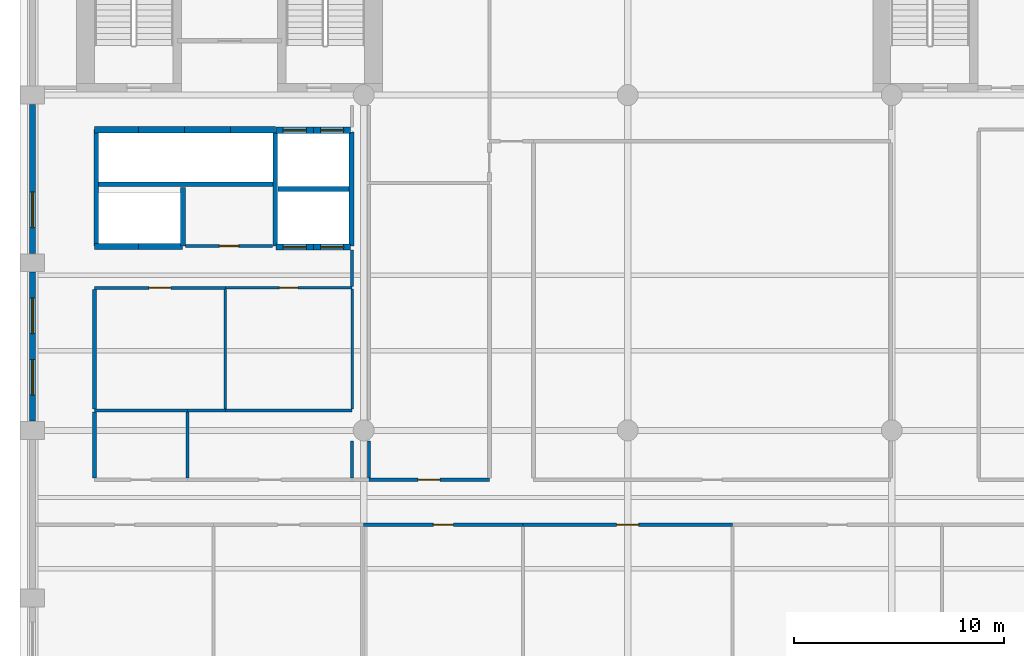
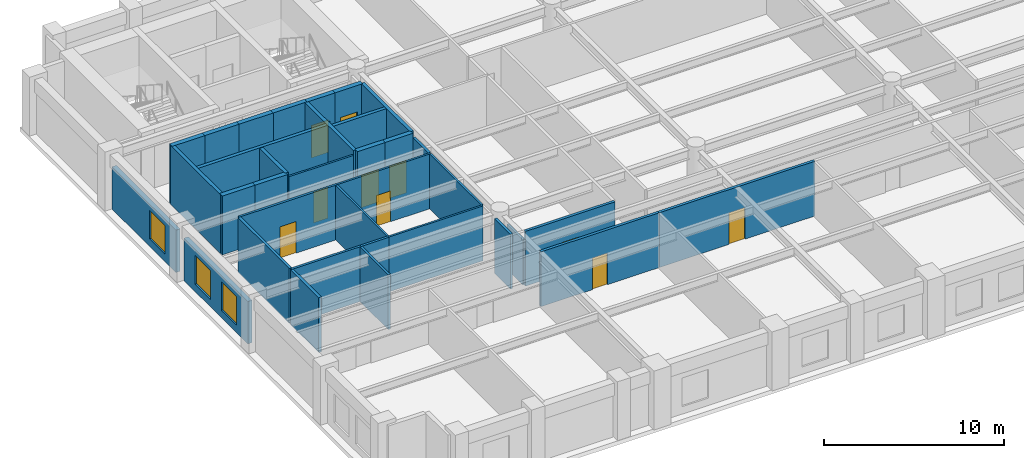
# One storey, part 3 of 8: 35 walls, 10 doors, 3 windows, 13 openings.
"""IFC4 building model written with IfcOpenShell, lengths in metres."""

from ifc_helpers import new_model, si_unit, direction, frame, frame_2d, origin, place, context, subcontext, project, spatial, rectangle, extrude, material, layer, layer_set, type_object, element, fill, save


model = new_model("IFC4")

# Units and contexts
model_context = context("Model", 3, precision=1e-05, world=origin(), true_north=direction((0.0, 1.0)))
body_context = subcontext(model_context, "Body", "Model", "MODEL_VIEW")
ifc_project = project(units=[si_unit("LENGTHUNIT", "METRE"), si_unit("AREAUNIT", "SQUARE_METRE"), si_unit("VOLUMEUNIT", "CUBIC_METRE"), si_unit("PLANEANGLEUNIT", "RADIAN"), si_unit("MASSUNIT", "GRAM", prefix="KILO")], contexts=[model_context])

# Site, building, storey
site_placement = place(None, origin())
site = spatial("IfcSite", under=ifc_project, at=site_placement, CompositionType="ELEMENT")
building_placement = place(site_placement, origin())
building = spatial("IfcBuilding", under=site, at=building_placement, Name="Sulina Concourse Tower", CompositionType="ELEMENT")
storey_placement = place(building_placement, frame((0.0, 0.0, 136.60009765625)))
storey = spatial("IfcBuildingStorey", under=building, at=storey_placement, Name="L33", CompositionType="ELEMENT", Elevation=136.60009765625)

# Walls
ifc_material_1 = material(Name="Concrete C50/60", Category="concrete")
ifc_layer_1 = layer(ifc_material_1, 0.219970703125)
ifc_layer_set_1 = layer_set([ifc_layer_1], Name="Concrete C50/60")
wall_type_1 = type_object("IfcWallType", Name="Core Lift Hoistway Divider Wall 220mm", PredefinedType="SOLIDWALL", material=ifc_layer_set_1)
wall_1_placement = place(storey_placement, frame((3.550048828125, 29.75, 0.0), z_axis=(0.0, 0.0, 1.0), x_axis=(1.0, 0.0, 0.0)))
element("IfcWall", 1, at=wall_1_placement, inside=storey, type_object=wall_type_1, Name="L33 shaft divider wall HW-LP3-S", PredefinedType="SOLIDWALL", context=body_context, shape_type="SweptSolid", body=[
    extrude(rectangle(XDim=8.64990234375, YDim=0.219970703125, at=frame_2d((4.324951171875, 0.0))), origin(), (0.0, 0.0, 1.0), 4.0),
])
wall_2_placement = place(storey_placement, frame((3.6298828125, 26.800048828125, 0.0), z_axis=(0.0, 0.0, 1.0), x_axis=(0.0, 1.0, 0.0)))
element("IfcWall", 2, at=wall_2_placement, inside=storey, type_object=wall_type_1, Name="L33 shaft divider wall HW-LP3-W", PredefinedType="SOLIDWALL", context=body_context, shape_type="SweptSolid", body=[
    extrude(rectangle(XDim=5.550048828125, YDim=0.219970703125, at=frame_2d((2.77490234375, 0.0))), origin(), (0.0, 0.0, 1.0), 4.0),
])
wall_3_placement = place(storey_placement, frame((7.780029296875, 26.800048828125, 0.0), z_axis=(0.0, 0.0, 1.0), x_axis=(0.0, 1.0, 0.0)))
element("IfcWall", 3, at=wall_3_placement, inside=storey, type_object=wall_type_1, Name="L33 shaft divider wall HW-EXP-E", PredefinedType="SOLIDWALL", context=body_context, shape_type="SweptSolid", body=[
    extrude(rectangle(XDim=2.800048828125, YDim=0.219970703125, at=frame_2d((1.39990234375, 0.0))), origin(), (0.0, 0.0, 1.0), 4.0),
])
for number, where, z_axis, x_axis, name in (
    (4, (12.179931640625, 26.800048828125, 0.0), (0.0, 0.0, 1.0), (0.0, 1.0, 0.0), "L33 shaft divider wall HW-LP2-W"),
    (5, (15.820068359375, 26.800048828125, 0.0), (0.0, 0.0, 1.0), (0.0, 1.0, 0.0), "L33 shaft divider wall HW-LP2-E"),
):
    element("IfcWall", number, at=place(storey_placement, frame(where, z_axis=z_axis, x_axis=x_axis)), inside=storey, type_object=wall_type_1, Name=name, PredefinedType="SOLIDWALL", context=body_context, shape_type="SweptSolid", body=[
        extrude(rectangle(XDim=5.449951171875, YDim=0.219970703125, at=frame_2d((2.72509765625, 0.0))), origin(), (0.0, 0.0, 1.0), 4.0),
    ])
wall_4_placement = place(storey_placement, frame((12.300048828125, 29.52001953125, 0.0), z_axis=(0.0, 0.0, 1.0), x_axis=(1.0, 0.0, 0.0)))
element("IfcWall", 6, at=wall_4_placement, inside=storey, type_object=wall_type_1, Name="L33 shaft divider wall HW-LP2-M", PredefinedType="SOLIDWALL", context=body_context, shape_type="SweptSolid", body=[
    extrude(rectangle(XDim=3.39990234375, YDim=0.219970703125, at=frame_2d((1.699951171875, 0.0))), origin(), (0.0, 0.0, 1.0), 4.0),
])

# Wall, opening, door
ifc_material_2 = material(Name="Concrete C50/60", Category="concrete")
ifc_layer_2 = layer(ifc_material_2, 0.300048828125)
ifc_layer_set_2 = layer_set([ifc_layer_2], Name="Concrete C50/60")
wall_type_2 = type_object("IfcWallType", Name="Core Lift Hoistway Wall 300mm", PredefinedType="SOLIDWALL", material=ifc_layer_set_2)
wall_5_placement = place(storey_placement, frame((14.0, 26.75, 0.0), z_axis=(0.0, 0.0, 1.0), x_axis=(-1.0, 0.0, 0.0)))
wall_5 = element("IfcWall", 7, at=wall_5_placement, inside=storey, type_object=wall_type_2, Name="L33 hoistway enclosure wall LP-05", PredefinedType="SOLIDWALL", context=body_context, shape_type="SweptSolid", body=[
    extrude(rectangle(XDim=1.780029296875, YDim=0.300048828125, at=frame_2d((0.89013671875, 0.0))), origin(), (0.0, 0.0, 1.0), 4.0),
])
opening_1_placement = place(wall_5_placement, frame((0.340087890625, 0.0, 0.0)))
opening_1 = element("IfcOpeningElement", 8, at=opening_1_placement, cuts=wall_5, Name="Opening LD-01", PredefinedType="OPENING", context=body_context, shape_type="SweptSolid", body=[
    extrude(rectangle(XDim=1.10009765625, YDim=2.199951171875, at=frame_2d((0.550048828125, 1.10009765625))), frame((0.0, 0.159912109375, 0.0), z_axis=(0.0, -1.0, 0.0), x_axis=(1.0, 0.0, 0.0)), (0.0, 0.0, 1.0), 0.320068359375),
])
ifc_material_3 = material(Name="Stainless steel lift landing door", Category="steel")
ifc_layer_3 = layer(ifc_material_3, 0.050048828125)
ifc_layer_set_3 = layer_set([ifc_layer_3], Name="Stainless steel lift landing door")
door_type_1 = type_object("IfcDoorType", Name="Passenger Lift Sliding Landing Door 1100x2200", OperationType="SLIDING_TO_LEFT", PredefinedType="DOOR", material=ifc_layer_set_3)
door_1_placement = place(opening_1_placement, origin())
door_1 = element("IfcDoor", 9, at=door_1_placement, inside=storey, type_object=door_type_1, Name="L33 lift landing sliding door LP-05", OperationType="SLIDING_TO_LEFT", OverallHeight=2.199951171875, OverallWidth=1.10009765625, PredefinedType="DOOR", context=body_context, shape_type="SweptSolid", body=[
    extrude(rectangle(XDim=1.10009765625, YDim=2.199951171875, at=frame_2d((0.550048828125, 1.10009765625))), frame((0.0, 0.02490234375, 0.0), z_axis=(0.0, -1.0, 0.0), x_axis=(1.0, 0.0, 0.0)), (0.0, 0.0, 1.0), 0.050048828125),
])
fill(opening_1, door_1)

wall_6_placement = place(storey_placement, frame((15.780029296875, 26.75, 0.0), z_axis=(0.0, 0.0, 1.0), x_axis=(-1.0, 0.0, 0.0)))
wall_6 = element("IfcWall", 10, at=wall_6_placement, inside=storey, type_object=wall_type_2, Name="L33 hoistway enclosure wall LP-06", PredefinedType="SOLIDWALL", context=body_context, shape_type="SweptSolid", body=[
    extrude(rectangle(XDim=1.780029296875, YDim=0.300048828125, at=frame_2d((0.89013671875, 0.0))), origin(), (0.0, 0.0, 1.0), 4.0),
])
opening_2_placement = place(wall_6_placement, frame((0.340087890625, 0.0, 0.0)))
opening_2 = element("IfcOpeningElement", 11, at=opening_2_placement, cuts=wall_6, Name="Opening LD-01", PredefinedType="OPENING", context=body_context, shape_type="SweptSolid", body=[
    extrude(rectangle(XDim=1.10009765625, YDim=2.199951171875, at=frame_2d((0.550048828125, 1.10009765625))), frame((0.0, 0.159912109375, 0.0), z_axis=(0.0, -1.0, 0.0), x_axis=(1.0, 0.0, 0.0)), (0.0, 0.0, 1.0), 0.320068359375),
])
door_2_placement = place(opening_2_placement, origin())
door_2 = element("IfcDoor", 12, at=door_2_placement, inside=storey, type_object=door_type_1, Name="L33 lift landing sliding door LP-06", OperationType="SLIDING_TO_RIGHT", OverallHeight=2.199951171875, OverallWidth=1.10009765625, PredefinedType="DOOR", context=body_context, shape_type="SweptSolid", body=[
    extrude(rectangle(XDim=1.10009765625, YDim=2.199951171875, at=frame_2d((0.550048828125, 1.10009765625))), frame((0.0, 0.02490234375, 0.0), z_axis=(0.0, -1.0, 0.0), x_axis=(1.0, 0.0, 0.0)), (0.0, 0.0, 1.0), 0.050048828125),
])
fill(opening_2, door_2)

wall_7_placement = place(storey_placement, frame((12.219970703125, 32.320068359375, 0.0), z_axis=(0.0, 0.0, 1.0), x_axis=(1.0, 0.0, 0.0)))
wall_7 = element("IfcWall", 13, at=wall_7_placement, inside=storey, type_object=wall_type_2, Name="L33 hoistway enclosure wall LP-07", PredefinedType="SOLIDWALL", context=body_context, shape_type="SweptSolid", body=[
    extrude(rectangle(XDim=1.780029296875, YDim=0.300048828125, at=frame_2d((0.89013671875, 0.0))), origin(), (0.0, 0.0, 1.0), 4.0),
])
opening_3_placement = place(wall_7_placement, frame((0.340087890625, 0.0, 0.0)))
opening_3 = element("IfcOpeningElement", 14, at=opening_3_placement, cuts=wall_7, Name="Opening LD-01", PredefinedType="OPENING", context=body_context, shape_type="SweptSolid", body=[
    extrude(rectangle(XDim=1.10009765625, YDim=2.199951171875, at=frame_2d((0.550048828125, 1.10009765625))), frame((0.0, 0.159912109375, 0.0), z_axis=(0.0, -1.0, 0.0), x_axis=(1.0, 0.0, 0.0)), (0.0, 0.0, 1.0), 0.320068359375),
])
door_3_placement = place(opening_3_placement, origin())
door_3 = element("IfcDoor", 15, at=door_3_placement, inside=storey, type_object=door_type_1, Name="L33 lift landing sliding door LP-07", OperationType="SLIDING_TO_LEFT", OverallHeight=2.199951171875, OverallWidth=1.10009765625, PredefinedType="DOOR", context=body_context, shape_type="SweptSolid", body=[
    extrude(rectangle(XDim=1.10009765625, YDim=2.199951171875, at=frame_2d((0.550048828125, 1.10009765625))), frame((0.0, 0.02490234375, 0.0), z_axis=(0.0, -1.0, 0.0), x_axis=(1.0, 0.0, 0.0)), (0.0, 0.0, 1.0), 0.050048828125),
])
fill(opening_3, door_3)

wall_8_placement = place(storey_placement, frame((14.0, 32.320068359375, 0.0), z_axis=(0.0, 0.0, 1.0), x_axis=(1.0, 0.0, 0.0)))
wall_8 = element("IfcWall", 16, at=wall_8_placement, inside=storey, type_object=wall_type_2, Name="L33 hoistway enclosure wall LP-08", PredefinedType="SOLIDWALL", context=body_context, shape_type="SweptSolid", body=[
    extrude(rectangle(XDim=1.780029296875, YDim=0.300048828125, at=frame_2d((0.89013671875, 0.0))), origin(), (0.0, 0.0, 1.0), 4.0),
])
opening_4_placement = place(wall_8_placement, frame((0.340087890625, 0.0, 0.0)))
opening_4 = element("IfcOpeningElement", 17, at=opening_4_placement, cuts=wall_8, Name="Opening LD-01", PredefinedType="OPENING", context=body_context, shape_type="SweptSolid", body=[
    extrude(rectangle(XDim=1.10009765625, YDim=2.199951171875, at=frame_2d((0.550048828125, 1.10009765625))), frame((0.0, 0.159912109375, 0.0), z_axis=(0.0, -1.0, 0.0), x_axis=(1.0, 0.0, 0.0)), (0.0, 0.0, 1.0), 0.320068359375),
])
door_4_placement = place(opening_4_placement, origin())
door_4 = element("IfcDoor", 18, at=door_4_placement, inside=storey, type_object=door_type_1, Name="L33 lift landing sliding door LP-08", OperationType="SLIDING_TO_RIGHT", OverallHeight=2.199951171875, OverallWidth=1.10009765625, PredefinedType="DOOR", context=body_context, shape_type="SweptSolid", body=[
    extrude(rectangle(XDim=1.10009765625, YDim=2.199951171875, at=frame_2d((0.550048828125, 1.10009765625))), frame((0.0, 0.02490234375, 0.0), z_axis=(0.0, -1.0, 0.0), x_axis=(1.0, 0.0, 0.0)), (0.0, 0.0, 1.0), 0.050048828125),
])
fill(opening_4, door_4)

# Walls
wall_9_placement = place(storey_placement, frame((3.550048828125, 32.35009765625, 0.0), z_axis=(0.0, 0.0, 1.0), x_axis=(1.0, 0.0, 0.0)))
element("IfcWall", 19, at=wall_9_placement, inside=storey, type_object=wall_type_2, Name="L33 hoistway enclosure wall LP-09", PredefinedType="SOLIDWALL", context=body_context, shape_type="SweptSolid", body=[
    extrude(rectangle(XDim=2.099853515625, YDim=0.300048828125, at=frame_2d((1.0498046875, 0.0))), origin(), (0.0, 0.0, 1.0), 4.0),
])
wall_10_placement = place(storey_placement, frame((5.64990234375, 32.35009765625, 0.0), z_axis=(0.0, 0.0, 1.0), x_axis=(1.0, 0.0, 0.0)))
element("IfcWall", 20, at=wall_10_placement, inside=storey, type_object=wall_type_2, Name="L33 hoistway enclosure wall LP-10", PredefinedType="SOLIDWALL", context=body_context, shape_type="SweptSolid", body=[
    extrude(rectangle(XDim=2.2001953125, YDim=0.300048828125, at=frame_2d((1.10009765625, 0.0))), origin(), (0.0, 0.0, 1.0), 4.0),
])
wall_11_placement = place(storey_placement, frame((7.85009765625, 32.35009765625, 0.0), z_axis=(0.0, 0.0, 1.0), x_axis=(1.0, 0.0, 0.0)))
element("IfcWall", 21, at=wall_11_placement, inside=storey, type_object=wall_type_2, Name="L33 hoistway enclosure wall LP-11", PredefinedType="SOLIDWALL", context=body_context, shape_type="SweptSolid", body=[
    extrude(rectangle(XDim=2.199951171875, YDim=0.300048828125, at=frame_2d((1.10009765625, 0.0))), origin(), (0.0, 0.0, 1.0), 4.0),
])
wall_12_placement = place(storey_placement, frame((10.050048828125, 32.35009765625, 0.0), z_axis=(0.0, 0.0, 1.0), x_axis=(1.0, 0.0, 0.0)))
element("IfcWall", 22, at=wall_12_placement, inside=storey, type_object=wall_type_2, Name="L33 hoistway enclosure wall LP-12", PredefinedType="SOLIDWALL", context=body_context, shape_type="SweptSolid", body=[
    extrude(rectangle(XDim=2.14990234375, YDim=0.300048828125, at=frame_2d((1.074951171875, 0.0))), origin(), (0.0, 0.0, 1.0), 4.0),
])
wall_13_placement = place(storey_placement, frame((5.64990234375, 26.780029296875, 0.0), z_axis=(0.0, 0.0, 1.0), x_axis=(-1.0, 0.0, 0.0)))
element("IfcWall", 23, at=wall_13_placement, inside=storey, type_object=wall_type_2, Name="L33 hoistway enclosure wall EXP-1", PredefinedType="SOLIDWALL", context=body_context, shape_type="SweptSolid", body=[
    extrude(rectangle(XDim=2.099853515625, YDim=0.300048828125, at=frame_2d((1.0498046875, 0.0))), origin(), (0.0, 0.0, 1.0), 4.0),
])
wall_14_placement = place(storey_placement, frame((7.75, 26.780029296875, 0.0), z_axis=(0.0, 0.0, 1.0), x_axis=(-1.0, 0.0, 0.0)))
element("IfcWall", 24, at=wall_14_placement, inside=storey, type_object=wall_type_2, Name="L33 hoistway enclosure wall EXP-2", PredefinedType="SOLIDWALL", context=body_context, shape_type="SweptSolid", body=[
    extrude(rectangle(XDim=2.10009765625, YDim=0.300048828125, at=frame_2d((1.050048828125, 0.0))), origin(), (0.0, 0.0, 1.0), 4.0),
])
ifc_material_4 = material(Name="Gypsum board on steel stud", Category="steel")
ifc_layer_4 = layer(ifc_material_4, 0.14990234375)
ifc_layer_set_4 = layer_set([ifc_layer_4], Name="Gypsum board on steel stud")
wall_type_3 = type_object("IfcWallType", Name="Inter-Tenancy Acoustic Partition 150mm", PredefinedType="PARTITIONING", material=ifc_layer_set_4)
wall_15_placement = place(storey_placement, frame((3.550048828125, 18.949951171875, 0.0), z_axis=(0.0, 0.0, 1.0), x_axis=(1.0, 0.0, 0.0)))
element("IfcWall", 25, at=wall_15_placement, inside=storey, type_object=wall_type_3, Name="L33 interior partition 013", PredefinedType="PARTITIONING", context=body_context, shape_type="SweptSolid", body=[
    extrude(rectangle(XDim=4.449951171875, YDim=0.14990234375, at=frame_2d((2.22509765625, 0.0))), origin(), (0.0, 0.0, 1.0), 3.724853515625),
])
wall_16_placement = place(storey_placement, frame((8.0, 18.949951171875, 0.0), z_axis=(0.0, 0.0, 1.0), x_axis=(1.0, 0.0, 0.0)))
element("IfcWall", 26, at=wall_16_placement, inside=storey, type_object=wall_type_3, Name="L33 interior partition 014", PredefinedType="PARTITIONING", context=body_context, shape_type="SweptSolid", body=[
    extrude(rectangle(XDim=1.800048828125, YDim=0.14990234375, at=frame_2d((0.89990234375, 0.0))), origin(), (0.0, 0.0, 1.0), 3.724853515625),
])

# Wall, opening, door
wall_17_placement = place(storey_placement, frame((3.550048828125, 24.800048828125, 0.0), z_axis=(0.0, 0.0, 1.0), x_axis=(1.0, 0.0, 0.0)))
wall_17 = element("IfcWall", 27, at=wall_17_placement, inside=storey, type_object=wall_type_3, Name="L33 interior partition 016", PredefinedType="PARTITIONING", context=body_context, shape_type="SweptSolid", body=[
    extrude(rectangle(XDim=6.25, YDim=0.14990234375, at=frame_2d((3.125, 0.0))), origin(), (0.0, 0.0, 1.0), 3.724853515625),
])
opening_5_placement = place(wall_17_placement, frame((2.60009765625, 0.0, 0.0)))
opening_5 = element("IfcOpeningElement", 28, at=opening_5_placement, cuts=wall_17, Name="Opening DR-37", PredefinedType="OPENING", context=body_context, shape_type="SweptSolid", body=[
    extrude(rectangle(XDim=1.050048828125, YDim=2.14990234375, at=frame_2d((0.52490234375, 1.074951171875))), frame((0.0, 0.0849609375, 0.0), z_axis=(0.0, -1.0, 0.0), x_axis=(1.0, 0.0, 0.0)), (0.0, 0.0, 1.0), 0.169921875),
])
ifc_material_5 = material(Name="Oak-veneered fire door leaf")
ifc_layer_5 = layer(ifc_material_5, 0.050048828125)
ifc_layer_set_5 = layer_set([ifc_layer_5], Name="Oak-veneered fire door leaf")
door_type_2 = type_object("IfcDoorType", Name="Tenant Suite Entrance Fire Door 1050x2150", OperationType="NOTDEFINED", PredefinedType="DOOR", material=ifc_layer_set_5)
door_5_placement = place(opening_5_placement, origin())
door_5 = element("IfcDoor", 29, at=door_5_placement, inside=storey, type_object=door_type_2, Name="L33 interior door L33-LR-MRG1", OperationType="SINGLE_SWING_LEFT", OverallHeight=2.14990234375, OverallWidth=1.050048828125, PredefinedType="DOOR", context=body_context, shape_type="SweptSolid", body=[
    extrude(rectangle(XDim=1.050048828125, YDim=2.14990234375, at=frame_2d((0.52490234375, 1.074951171875))), frame((0.0, 0.02490234375, 0.0), z_axis=(0.0, -1.0, 0.0), x_axis=(1.0, 0.0, 0.0)), (0.0, 0.0, 1.0), 0.050048828125),
])
fill(opening_5, door_5)

# Walls
wall_18_placement = place(storey_placement, frame((8.0, 15.739990234375, 0.0), z_axis=(0.0, 0.0, 1.0), x_axis=(0.0, 1.0, 0.0)))
element("IfcWall", 30, at=wall_18_placement, inside=storey, type_object=wall_type_3, Name="L33 interior partition 029", PredefinedType="PARTITIONING", context=body_context, shape_type="SweptSolid", body=[
    extrude(rectangle(XDim=3.135009765625, YDim=0.14990234375, at=frame_2d((1.5673828125, 0.0))), origin(), (0.0, 0.0, 1.0), 3.724853515625),
])
wall_19_placement = place(storey_placement, frame((15.85009765625, 15.739990234375, 0.0), z_axis=(0.0, 0.0, 1.0), x_axis=(0.0, 1.0, 0.0)))
element("IfcWall", 31, at=wall_19_placement, inside=storey, type_object=wall_type_3, Name="L33 interior partition 032", PredefinedType="PARTITIONING", context=body_context, shape_type="SweptSolid", body=[
    extrude(rectangle(XDim=1.760009765625, YDim=0.14990234375, at=frame_2d((0.8798828125, 0.0))), origin(), (0.0, 0.0, 1.0), 3.724853515625),
])
wall_20_placement = place(storey_placement, frame((15.85009765625, 24.862548828125, 0.0), z_axis=(0.0, 0.0, 1.0), x_axis=(0.0, 1.0, 0.0)))
element("IfcWall", 32, at=wall_20_placement, inside=storey, type_object=wall_type_3, Name="L33 interior partition 034", PredefinedType="PARTITIONING", context=body_context, shape_type="SweptSolid", body=[
    extrude(rectangle(XDim=1.737548828125, YDim=0.14990234375, at=frame_2d((0.86865234375, 0.0))), origin(), (0.0, 0.0, 1.0), 3.724853515625),
])
wall_21_placement = place(storey_placement, frame((16.64990234375, 15.739990234375, 0.0), z_axis=(0.0, 0.0, 1.0), x_axis=(0.0, 1.0, 0.0)))
element("IfcWall", 33, at=wall_21_placement, inside=storey, type_object=wall_type_3, Name="L33 interior partition 037", PredefinedType="PARTITIONING", context=body_context, shape_type="SweptSolid", body=[
    extrude(rectangle(XDim=1.760009765625, YDim=0.14990234375, at=frame_2d((0.8798828125, 0.0))), origin(), (0.0, 0.0, 1.0), 3.06982421875),
])

# Wall, opening, door
ifc_material_6 = material(Name="Gypsum board on steel stud", Category="steel")
ifc_layer_6 = layer(ifc_material_6, 0.179931640625)
ifc_layer_set_6 = layer_set([ifc_layer_6], Name="Gypsum board on steel stud")
wall_type_4 = type_object("IfcWallType", Name="Protected Corridor & Riser Partition 180mm", PredefinedType="PARTITIONING", material=ifc_layer_set_6)
wall_22_placement = place(storey_placement, frame((16.39990234375, 13.5, 0.0), z_axis=(0.0, 0.0, 1.0), x_axis=(1.0, 0.0, 0.0)))
wall_22 = element("IfcWall", 34, at=wall_22_placement, inside=storey, type_object=wall_type_4, Name="L33 interior partition 003", PredefinedType="PARTITIONING", context=body_context, shape_type="SweptSolid", body=[
    extrude(rectangle(XDim=7.60009765625, YDim=0.179931640625, at=frame_2d((3.800048828125, 0.0))), origin(), (0.0, 0.0, 1.0), 3.724853515625),
])
opening_6_placement = place(wall_22_placement, frame((3.324951171875, 0.0, 0.0)))
opening_6 = element("IfcOpeningElement", 35, at=opening_6_placement, cuts=wall_22, Name="Opening DR-19", PredefinedType="OPENING", context=body_context, shape_type="SweptSolid", body=[
    extrude(rectangle(XDim=0.949951171875, YDim=2.14990234375, at=frame_2d((0.47509765625, 1.074951171875))), frame((0.0, 0.099853515625, 0.0), z_axis=(0.0, -1.0, 0.0), x_axis=(1.0, 0.0, 0.0)), (0.0, 0.0, 1.0), 0.199951171875),
])
ifc_material_7 = material(Name="Oak-veneered acoustic timber leaf", Category="wood")
ifc_layer_7 = layer(ifc_material_7, 0.050048828125)
ifc_layer_set_7 = layer_set([ifc_layer_7], Name="Oak-veneered acoustic timber leaf")
door_type_3 = type_object("IfcDoorType", Name="Cellular Office & Meeting Door 950x2150", OperationType="NOTDEFINED", PredefinedType="DOOR", material=ifc_layer_set_7)
door_6_placement = place(opening_6_placement, origin())
door_6 = element("IfcDoor", 36, at=door_6_placement, inside=storey, type_object=door_type_3, Name="L33 interior door L33-S03", OperationType="SINGLE_SWING_RIGHT", OverallHeight=2.14990234375, OverallWidth=0.949951171875, PredefinedType="DOOR", context=body_context, shape_type="SweptSolid", body=[
    extrude(rectangle(XDim=0.949951171875, YDim=2.14990234375, at=frame_2d((0.47509765625, 1.074951171875))), frame((0.0, 0.02490234375, 0.0), z_axis=(0.0, -1.0, 0.0), x_axis=(1.0, 0.0, 0.0)), (0.0, 0.0, 1.0), 0.050048828125),
])
fill(opening_6, door_6)

wall_23_placement = place(storey_placement, frame((24.0, 13.5, 0.0), z_axis=(0.0, 0.0, 1.0), x_axis=(1.0, 0.0, 0.0)))
wall_23 = element("IfcWall", 37, at=wall_23_placement, inside=storey, type_object=wall_type_4, Name="L33 interior partition 004", PredefinedType="PARTITIONING", context=body_context, shape_type="SweptSolid", body=[
    extrude(rectangle(XDim=10.0, YDim=0.179931640625, at=frame_2d((5.0, 0.0))), origin(), (0.0, 0.0, 1.0), 3.724853515625),
])
opening_7_placement = place(wall_23_placement, frame((4.47509765625, 0.0, 0.0)))
opening_7 = element("IfcOpeningElement", 38, at=opening_7_placement, cuts=wall_23, Name="Opening DR-37", PredefinedType="OPENING", context=body_context, shape_type="SweptSolid", body=[
    extrude(rectangle(XDim=1.050048828125, YDim=2.14990234375, at=frame_2d((0.52490234375, 1.074951171875))), frame((0.0, 0.099853515625, 0.0), z_axis=(0.0, -1.0, 0.0), x_axis=(1.0, 0.0, 0.0)), (0.0, 0.0, 1.0), 0.199951171875),
])
door_7_placement = place(opening_7_placement, origin())
door_7 = element("IfcDoor", 39, at=door_7_placement, inside=storey, type_object=door_type_2, Name="L33 interior door L33-S04", OperationType="SINGLE_SWING_LEFT", OverallHeight=2.14990234375, OverallWidth=1.050048828125, PredefinedType="DOOR", context=body_context, shape_type="SweptSolid", body=[
    extrude(rectangle(XDim=1.050048828125, YDim=2.14990234375, at=frame_2d((0.52490234375, 1.074951171875))), frame((0.0, 0.02490234375, 0.0), z_axis=(0.0, -1.0, 0.0), x_axis=(1.0, 0.0, 0.0)), (0.0, 0.0, 1.0), 0.050048828125),
])
fill(opening_7, door_7)

wall_24_placement = place(storey_placement, frame((16.64990234375, 15.64990234375, 0.0), z_axis=(0.0, 0.0, 1.0), x_axis=(1.0, 0.0, 0.0)))
wall_24 = element("IfcWall", 40, at=wall_24_placement, inside=storey, type_object=wall_type_4, Name="L33 interior partition 010", PredefinedType="PARTITIONING", context=body_context, shape_type="SweptSolid", body=[
    extrude(rectangle(XDim=5.75, YDim=0.179931640625, at=frame_2d((2.875, 0.0))), origin(), (0.0, 0.0, 1.0), 3.724853515625),
])
opening_8_placement = place(wall_24_placement, frame((2.35009765625, 0.0, 0.0)))
opening_8 = element("IfcOpeningElement", 41, at=opening_8_placement, cuts=wall_24, Name="Opening DR-37", PredefinedType="OPENING", context=body_context, shape_type="SweptSolid", body=[
    extrude(rectangle(XDim=1.050048828125, YDim=2.14990234375, at=frame_2d((0.52490234375, 1.074951171875))), frame((0.0, 0.099853515625, 0.0), z_axis=(0.0, -1.0, 0.0), x_axis=(1.0, 0.0, 0.0)), (0.0, 0.0, 1.0), 0.199951171875),
])
door_8_placement = place(opening_8_placement, origin())
door_8 = element("IfcDoor", 42, at=door_8_placement, inside=storey, type_object=door_type_2, Name="L33 interior door L33-NC1", OperationType="SINGLE_SWING_RIGHT", OverallHeight=2.14990234375, OverallWidth=1.050048828125, PredefinedType="DOOR", context=body_context, shape_type="SweptSolid", body=[
    extrude(rectangle(XDim=1.050048828125, YDim=2.14990234375, at=frame_2d((0.52490234375, 1.074951171875))), frame((0.0, 0.02490234375, 0.0), z_axis=(0.0, -1.0, 0.0), x_axis=(1.0, 0.0, 0.0)), (0.0, 0.0, 1.0), 0.050048828125),
])
fill(opening_8, door_8)

# Walls
wall_25_placement = place(storey_placement, frame((3.550048828125, 15.739990234375, 0.0), z_axis=(0.0, 0.0, 1.0), x_axis=(0.0, 1.0, 0.0)))
element("IfcWall", 43, at=wall_25_placement, inside=storey, type_object=wall_type_4, Name="L33 interior partition 027", PredefinedType="PARTITIONING", context=body_context, shape_type="SweptSolid", body=[
    extrude(rectangle(XDim=3.135009765625, YDim=0.179931640625, at=frame_2d((1.5673828125, 0.0))), origin(), (0.0, 0.0, 1.0), 3.724853515625),
])
wall_26_placement = place(storey_placement, frame((3.550048828125, 19.02490234375, 0.0), z_axis=(0.0, 0.0, 1.0), x_axis=(0.0, 1.0, 0.0)))
element("IfcWall", 44, at=wall_26_placement, inside=storey, type_object=wall_type_4, Name="L33 interior partition 028", PredefinedType="PARTITIONING", context=body_context, shape_type="SweptSolid", body=[
    extrude(rectangle(XDim=5.7001953125, YDim=0.179931640625, at=frame_2d((2.85009765625, 0.0))), origin(), (0.0, 0.0, 1.0), 3.724853515625),
])

# Wall, openings, windows
ifc_material_8 = material(Name="Precast concrete C50/60", Category="concrete")
ifc_layer_8 = layer(ifc_material_8, 0.280029296875)
ifc_layer_set_8 = layer_set([ifc_layer_8], Name="Precast concrete C50/60")
wall_type_5 = type_object("IfcWallType", Name="Typical Precast Masonry-Frame Facade Wall 280mm", PredefinedType="SOLIDWALL", material=ifc_layer_set_8)
wall_27_placement = place(storey_placement, frame((0.60009765625, 18.445068359375, 0.0), z_axis=(0.0, 0.0, 1.0), x_axis=(0.0, 1.0, 0.0)))
wall_27 = element("IfcWall", 45, at=wall_27_placement, inside=storey, type_object=wall_type_5, Name="L33 exterior precast wall W3", PredefinedType="SOLIDWALL", context=body_context, shape_type="SweptSolid", body=[
    extrude(rectangle(XDim=7.10986328125, YDim=0.280029296875, at=frame_2d((3.554931640625, 0.0))), origin(), (0.0, 0.0, 1.0), 2.875),
])
opening_9_placement = place(wall_27_placement, frame((1.23681640625, 0.0, 0.5)))
opening_9 = element("IfcOpeningElement", 46, at=opening_9_placement, cuts=wall_27, Name="Opening WN-66", PredefinedType="OPENING", context=body_context, shape_type="SweptSolid", body=[
    extrude(rectangle(XDim=1.699951171875, YDim=1.949951171875, at=frame_2d((0.85009765625, 0.97509765625))), frame((0.0, 0.14990234375, 0.0), z_axis=(0.0, -1.0, 0.0), x_axis=(1.0, 0.0, 0.0)), (0.0, 0.0, 1.0), 0.300048828125),
])
opening_10_placement = place(wall_27_placement, frame((4.17333984375, 0.0, 0.5)))
opening_10 = element("IfcOpeningElement", 47, at=opening_10_placement, cuts=wall_27, Name="Opening WN-66", PredefinedType="OPENING", context=body_context, shape_type="SweptSolid", body=[
    extrude(rectangle(XDim=1.699951171875, YDim=1.949951171875, at=frame_2d((0.85009765625, 0.97509765625))), frame((0.0, 0.14990234375, 0.0), z_axis=(0.0, -1.0, 0.0), x_axis=(1.0, 0.0, 0.0)), (0.0, 0.0, 1.0), 0.300048828125),
])
ifc_material_9 = material(Name="Low-E solar double glazing in bronze aluminium", Category="aluminium")
window_type = type_object("IfcWindowType", Name="Recessed Spandrel Window 1700x1950", PartitioningType="SINGLE_PANEL", PredefinedType="WINDOW", material=ifc_material_9)
window_1_placement = place(opening_9_placement, origin())
window_1 = element("IfcWindow", 48, at=window_1_placement, inside=storey, type_object=window_type, Name="L33 punched window W3-1", OverallHeight=1.949951171875, OverallWidth=1.699951171875, PartitioningType="SINGLE_PANEL", PredefinedType="WINDOW", context=body_context, shape_type="SweptSolid", body=[
    extrude(rectangle(XDim=1.699951171875, YDim=1.949951171875, at=frame_2d((0.85009765625, 0.97509765625))), frame((0.0, 0.030029296875, 0.0), z_axis=(0.0, -1.0, 0.0), x_axis=(1.0, 0.0, 0.0)), (0.0, 0.0, 1.0), 0.06005859375),
])
fill(opening_9, window_1)
window_2_placement = place(opening_10_placement, origin())
window_2 = element("IfcWindow", 49, at=window_2_placement, inside=storey, type_object=window_type, Name="L33 punched window W3-2", OverallHeight=1.949951171875, OverallWidth=1.699951171875, PartitioningType="SINGLE_PANEL", PredefinedType="WINDOW", context=body_context, shape_type="SweptSolid", body=[
    extrude(rectangle(XDim=1.699951171875, YDim=1.949951171875, at=frame_2d((0.85009765625, 0.97509765625))), frame((0.0, 0.030029296875, 0.0), z_axis=(0.0, -1.0, 0.0), x_axis=(1.0, 0.0, 0.0)), (0.0, 0.0, 1.0), 0.06005859375),
])
fill(opening_10, window_2)

# Wall, opening, window
wall_28_placement = place(storey_placement, frame((0.60009765625, 26.445068359375, 0.0), z_axis=(0.0, 0.0, 1.0), x_axis=(0.0, 1.0, 0.0)))
wall_28 = element("IfcWall", 50, at=wall_28_placement, inside=storey, type_object=wall_type_5, Name="L33 exterior precast wall W4", PredefinedType="SOLIDWALL", context=body_context, shape_type="SweptSolid", body=[
    extrude(rectangle(XDim=7.10986328125, YDim=0.280029296875, at=frame_2d((3.554931640625, 0.0))), origin(), (0.0, 0.0, 1.0), 2.875),
])
opening_11_placement = place(wall_28_placement, frame((1.23681640625, 0.0, 0.5)))
opening_11 = element("IfcOpeningElement", 51, at=opening_11_placement, cuts=wall_28, Name="Opening WN-66", PredefinedType="OPENING", context=body_context, shape_type="SweptSolid", body=[
    extrude(rectangle(XDim=1.699951171875, YDim=1.949951171875, at=frame_2d((0.85009765625, 0.97509765625))), frame((0.0, 0.14990234375, 0.0), z_axis=(0.0, -1.0, 0.0), x_axis=(1.0, 0.0, 0.0)), (0.0, 0.0, 1.0), 0.300048828125),
])
window_3_placement = place(opening_11_placement, origin())
window_3 = element("IfcWindow", 52, at=window_3_placement, inside=storey, type_object=window_type, Name="L33 punched window W4-1", OverallHeight=1.949951171875, OverallWidth=1.699951171875, PartitioningType="SINGLE_PANEL", PredefinedType="WINDOW", context=body_context, shape_type="SweptSolid", body=[
    extrude(rectangle(XDim=1.699951171875, YDim=1.949951171875, at=frame_2d((0.85009765625, 0.97509765625))), frame((0.0, 0.030029296875, 0.0), z_axis=(0.0, -1.0, 0.0), x_axis=(1.0, 0.0, 0.0)), (0.0, 0.0, 1.0), 0.06005859375),
])
fill(opening_11, window_3)

# Wall
ifc_material_10 = material(Name="Gypsum board on steel stud", Category="steel")
ifc_layer_9 = layer(ifc_material_10, 0.125)
ifc_layer_set_9 = layer_set([ifc_layer_9], Name="Gypsum board on steel stud")
wall_type_6 = type_object("IfcWallType", Name="Wet-Area Moisture-Resistant Partition 125mm", PredefinedType="PARTITIONING", material=ifc_layer_set_9)
wall_29_placement = place(storey_placement, frame((9.800048828125, 18.949951171875, 0.0), z_axis=(0.0, 0.0, 1.0), x_axis=(1.0, 0.0, 0.0)))
element("IfcWall", 53, at=wall_29_placement, inside=storey, type_object=wall_type_6, Name="L33 interior partition 015", PredefinedType="PARTITIONING", context=body_context, shape_type="SweptSolid", body=[
    extrude(rectangle(XDim=6.050048828125, YDim=0.125, at=frame_2d((3.02490234375, 0.0))), origin(), (0.0, 0.0, 1.0), 3.724853515625),
])

# Wall, opening, door
wall_30_placement = place(storey_placement, frame((9.800048828125, 24.800048828125, 0.0), z_axis=(0.0, 0.0, 1.0), x_axis=(1.0, 0.0, 0.0)))
wall_30 = element("IfcWall", 54, at=wall_30_placement, inside=storey, type_object=wall_type_6, Name="L33 interior partition 017", PredefinedType="PARTITIONING", context=body_context, shape_type="SweptSolid", body=[
    extrude(rectangle(XDim=6.050048828125, YDim=0.125, at=frame_2d((3.02490234375, 0.0))), origin(), (0.0, 0.0, 1.0), 3.724853515625),
])
opening_12_placement = place(wall_30_placement, frame((2.574951171875, 0.0, 0.0)))
opening_12 = element("IfcOpeningElement", 55, at=opening_12_placement, cuts=wall_30, Name="Opening DR-21", PredefinedType="OPENING", context=body_context, shape_type="SweptSolid", body=[
    extrude(rectangle(XDim=0.89990234375, YDim=2.10009765625, at=frame_2d((0.449951171875, 1.050048828125))), frame((0.0, 0.072509765625, 0.0), z_axis=(0.0, -1.0, 0.0), x_axis=(1.0, 0.0, 0.0)), (0.0, 0.0, 1.0), 0.14501953125),
])
ifc_material_11 = material(Name="Oak-veneered fire door leaf")
ifc_layer_10 = layer(ifc_material_11, 0.050048828125)
ifc_layer_set_10 = layer_set([ifc_layer_10], Name="Oak-veneered fire door leaf")
door_type_4 = type_object("IfcDoorType", Name="Restroom & Service Door 900x2100", OperationType="NOTDEFINED", PredefinedType="DOOR", material=ifc_layer_set_10)
door_9_placement = place(opening_12_placement, origin())
door_9 = element("IfcDoor", 56, at=door_9_placement, inside=storey, type_object=door_type_4, Name="L33 interior door L33-LR-MRG2", OperationType="SINGLE_SWING_RIGHT", OverallHeight=2.10009765625, OverallWidth=0.89990234375, PredefinedType="DOOR", context=body_context, shape_type="SweptSolid", body=[
    extrude(rectangle(XDim=0.89990234375, YDim=2.10009765625, at=frame_2d((0.449951171875, 1.050048828125))), frame((0.0, 0.02490234375, 0.0), z_axis=(0.0, -1.0, 0.0), x_axis=(1.0, 0.0, 0.0)), (0.0, 0.0, 1.0), 0.050048828125),
])
fill(opening_12, door_9)

wall_31_placement = place(storey_placement, frame((7.889892578125, 26.800048828125, 0.0), z_axis=(0.0, 0.0, 1.0), x_axis=(1.0, 0.0, 0.0)))
wall_31 = element("IfcWall", 57, at=wall_31_placement, inside=storey, type_object=wall_type_6, Name="L33 interior partition 018", PredefinedType="PARTITIONING", context=body_context, shape_type="SweptSolid", body=[
    extrude(rectangle(XDim=4.16015625, YDim=0.125, at=frame_2d((2.080078125, 0.0))), origin(), (0.0, 0.0, 1.0), 3.724853515625),
])
opening_13_placement = place(wall_31_placement, frame((1.6201171875, 0.0, 0.0)))
opening_13 = element("IfcOpeningElement", 58, at=opening_13_placement, cuts=wall_31, Name="Opening DR-61", PredefinedType="OPENING", context=body_context, shape_type="SweptSolid", body=[
    extrude(rectangle(XDim=0.919921875, YDim=2.10009765625, at=frame_2d((0.4599609375, 1.050048828125))), frame((0.0, 0.072509765625, 0.0), z_axis=(0.0, -1.0, 0.0), x_axis=(1.0, 0.0, 0.0)), (0.0, 0.0, 1.0), 0.14501953125),
])
ifc_material_12 = material(Name="Oak-veneered fire door leaf")
ifc_layer_11 = layer(ifc_material_12, 0.050048828125)
ifc_layer_set_11 = layer_set([ifc_layer_11], Name="Oak-veneered fire door leaf")
door_type_5 = type_object("IfcDoorType", Name="Accessible WC Door 920x2100", OperationType="NOTDEFINED", PredefinedType="DOOR", material=ifc_layer_set_11)
door_10_placement = place(opening_13_placement, origin())
door_10 = element("IfcDoor", 59, at=door_10_placement, inside=storey, type_object=door_type_5, Name="L33 interior door L33-WC-ACC", OperationType="SINGLE_SWING_LEFT", OverallHeight=2.10009765625, OverallWidth=0.919921875, PredefinedType="DOOR", context=body_context, shape_type="SweptSolid", body=[
    extrude(rectangle(XDim=0.919921875, YDim=2.10009765625, at=frame_2d((0.4599609375, 1.050048828125))), frame((0.0, 0.02490234375, 0.0), z_axis=(0.0, -1.0, 0.0), x_axis=(1.0, 0.0, 0.0)), (0.0, 0.0, 1.0), 0.050048828125),
])
fill(opening_13, door_10)

# Walls
wall_32_placement = place(storey_placement, frame((9.800048828125, 19.02490234375, 0.0), z_axis=(0.0, 0.0, 1.0), x_axis=(0.0, 1.0, 0.0)))
element("IfcWall", 60, at=wall_32_placement, inside=storey, type_object=wall_type_6, Name="L33 interior partition 031", PredefinedType="PARTITIONING", context=body_context, shape_type="SweptSolid", body=[
    extrude(rectangle(XDim=5.7001953125, YDim=0.125, at=frame_2d((2.85009765625, 0.0))), origin(), (0.0, 0.0, 1.0), 3.724853515625),
])
wall_33_placement = place(storey_placement, frame((15.85009765625, 19.012451171875, 0.0), z_axis=(0.0, 0.0, 1.0), x_axis=(0.0, 1.0, 0.0)))
element("IfcWall", 61, at=wall_33_placement, inside=storey, type_object=wall_type_6, Name="L33 interior partition 033", PredefinedType="PARTITIONING", context=body_context, shape_type="SweptSolid", body=[
    extrude(rectangle(XDim=5.72509765625, YDim=0.125, at=frame_2d((2.862548828125, 0.0))), origin(), (0.0, 0.0, 1.0), 3.724853515625),
])

save(model, "model.ifc")
